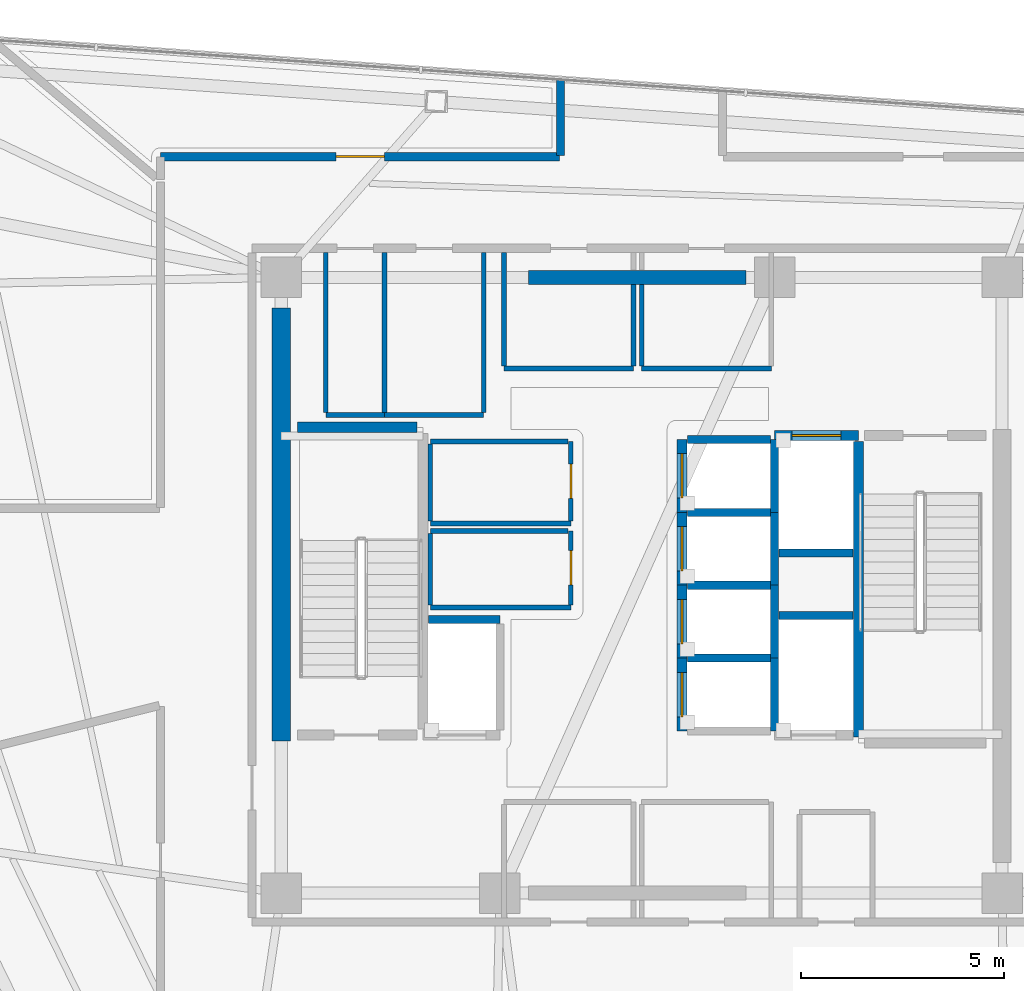
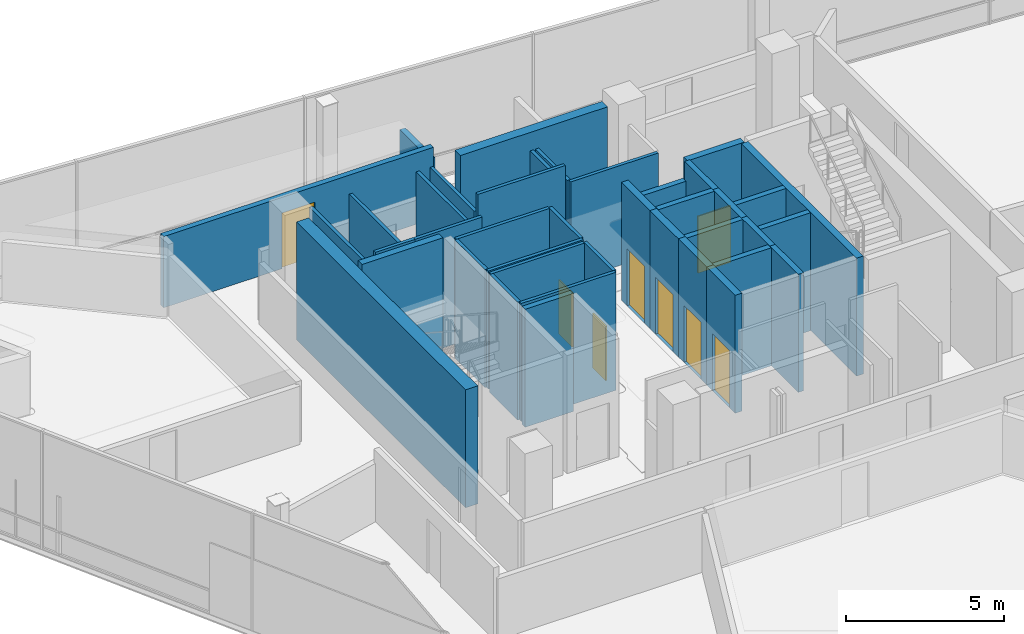
# One storey, part 10 of 13: 40 walls, 8 doors, 8 openings.
"""IFC4 building model written with IfcOpenShell, lengths in metres."""

from ifc_helpers import new_model, si_unit, direction, frame, frame_2d, origin, place, context, subcontext, project, spatial, rectangle, extrude, material, layer, layer_set, type_object, element, fill, save


model = new_model("IFC4")

# Units and contexts
model_context = context("Model", 3, precision=1e-05, world=origin(), true_north=direction((0.0, 1.0)))
body_context = subcontext(model_context, "Body", "Model", "MODEL_VIEW")
ifc_project = project(units=[si_unit("LENGTHUNIT", "METRE"), si_unit("AREAUNIT", "SQUARE_METRE"), si_unit("VOLUMEUNIT", "CUBIC_METRE"), si_unit("PLANEANGLEUNIT", "RADIAN"), si_unit("MASSUNIT", "GRAM", prefix="KILO")], contexts=[model_context])

# Site, building, storey
site_placement = place(None, origin())
site = spatial("IfcSite", under=ifc_project, at=site_placement, CompositionType="ELEMENT")
building_placement = place(site_placement, origin())
building = spatial("IfcBuilding", under=site, at=building_placement, Name="Tharavind Bronze Gate", CompositionType="ELEMENT")
storey_placement = place(building_placement, frame((0.0, 0.0, 248.64990234375)))
storey = spatial("IfcBuildingStorey", under=building, at=storey_placement, Name="L64", CompositionType="ELEMENT", Elevation=248.64990234375)

# Wall
ifc_material_1 = material(Name="Aerated Concrete Block", Category="concrete")
ifc_layer_1 = layer(ifc_material_1, 0.199951171875)
ifc_layer_set_1 = layer_set([ifc_layer_1], Name="Aerated Concrete Block")
wall_type_1 = type_object("IfcWallType", Name="FIRE RATED PARTITION 200", PredefinedType="PARTITIONING", material=ifc_layer_set_1)
wall_1_placement = place(storey_placement, frame((-2.0, 12.481689453125, 0.0), z_axis=(0.0, 0.0, 1.0), x_axis=(0.0, -1.0, 0.0)))
element("IfcWall", 1, at=wall_1_placement, inside=storey, type_object=wall_type_1, Name="L64 Scrum Huddle Room partition", PredefinedType="PARTITIONING", context=body_context, shape_type="SweptSolid", body=[
    extrude(rectangle(XDim=1.876708984375, YDim=0.199951171875, at=frame_2d((0.9384765625, 0.0))), origin(), (0.0, 0.0, 1.0), 2.255126953125),
])

# Wall, opening, door
wall_2_placement = place(storey_placement, frame((-2.02490234375, 10.580078125, 0.0), z_axis=(0.0, 0.0, 1.0), x_axis=(-1.0, 0.0, 0.0)))
wall_2 = element("IfcWall", 2, at=wall_2_placement, inside=storey, type_object=wall_type_1, Name="L64 Scrum Huddle Room partition", PredefinedType="PARTITIONING", context=body_context, shape_type="SweptSolid", body=[
    extrude(rectangle(XDim=9.8544921875, YDim=0.199951171875, at=frame_2d((4.92724609375, 0.0))), origin(), (0.0, 0.0, 1.0), 2.755126953125),
])
opening_1_placement = place(wall_2_placement, frame((4.326904296875, 0.0, 0.0)))
opening_1 = element("IfcOpeningElement", 3, at=opening_1_placement, cuts=wall_2, Name="Opening ID05", PredefinedType="OPENING", context=body_context, shape_type="SweptSolid", body=[
    extrude(rectangle(XDim=1.199951171875, YDim=2.14990234375, at=frame_2d((0.60009765625, 1.074951171875))), frame((0.0, 0.11009765625, 0.0), z_axis=(0.0, -1.0, 0.0), x_axis=(1.0, 0.0, 0.0)), (0.0, 0.0, 1.0), 0.219951171875),
])
ifc_material_2 = material(Name="Acoustic Laminated Glass", Category="glass")
door_type_1 = type_object("IfcDoorType", Name="MEETING ROOM GLAZED DOOR 1200X2150", OperationType="SINGLE_SWING_LEFT", PredefinedType="DOOR", material=ifc_material_2)
door_1_placement = place(opening_1_placement, origin())
door_1 = element("IfcDoor", 4, at=door_1_placement, inside=storey, type_object=door_type_1, Name="L64 Scrum Huddle Room door", OperationType="SINGLE_SWING_LEFT", OverallHeight=2.14990234375, OverallWidth=1.199951171875, PredefinedType="DOOR", context=body_context, shape_type="SweptSolid", body=[
    extrude(rectangle(XDim=1.199951171875, YDim=2.14990234375, at=frame_2d((0.60009765625, 1.074951171875))), frame((0.0, 0.02490234375, 0.0), z_axis=(0.0, -1.0, 0.0), x_axis=(1.0, 0.0, 0.0)), (0.0, 0.0, 1.0), 0.050048828125),
])
fill(opening_1, door_1)

# Wall
ifc_material_3 = material(Name="Metal Stud Gypsum Partition", Category="gypsum")
ifc_layer_2 = layer(ifc_material_3, 0.1201171875)
ifc_layer_set_2 = layer_set([ifc_layer_2], Name="Metal Stud Gypsum Partition")
wall_type_2 = type_object("IfcWallType", Name="INTERIOR PARTITION WALL 120", PredefinedType="PARTITIONING", material=ifc_layer_set_2)
wall_3_placement = place(storey_placement, frame((-5.219970703125, 1.52001953125, 0.0), z_axis=(0.0, 0.0, 1.0), x_axis=(1.0, 0.0, 0.0)))
element("IfcWall", 5, at=wall_3_placement, inside=storey, type_object=wall_type_2, Name="L64 Cleaner Store Room partition 1", PredefinedType="PARTITIONING", context=body_context, shape_type="SweptSolid", body=[
    extrude(rectangle(XDim=3.469970703125, YDim=0.1201171875, at=frame_2d((1.73486328125, 0.0))), origin(), (0.0, 0.0, 1.0), 4.56005859375),
])

# Wall, opening, door
wall_4_placement = place(storey_placement, frame((-1.75, 1.5849609375, 0.0), z_axis=(0.0, 0.0, 1.0), x_axis=(0.0, 1.0, 0.0)))
wall_4 = element("IfcWall", 6, at=wall_4_placement, inside=storey, type_object=wall_type_2, Name="L64 Cleaner Store Room partition 2", PredefinedType="PARTITIONING", context=body_context, shape_type="SweptSolid", body=[
    extrude(rectangle(XDim=1.965087890625, YDim=0.1201171875, at=frame_2d((0.982421875, 0.0))), origin(), (0.0, 0.0, 1.0), 4.56005859375),
])
opening_2_placement = place(wall_4_placement, frame((0.556884765625, 0.0, 0.0)))
opening_2 = element("IfcOpeningElement", 7, at=opening_2_placement, cuts=wall_4, Name="Opening ID06", PredefinedType="OPENING", context=body_context, shape_type="SweptSolid", body=[
    extrude(rectangle(XDim=0.85009765625, YDim=2.10009765625, at=frame_2d((0.425048828125, 1.050048828125))), frame((0.0, 0.07005859375, 0.0), z_axis=(0.0, -1.0, 0.0), x_axis=(1.0, 0.0, 0.0)), (0.0, 0.0, 1.0), 0.1401171875),
])
ifc_material_4 = material(Name="Moisture-Resistant Timber", Category="wood")
door_type_2 = type_object("IfcDoorType", Name="BATHROOM PRIVACY DOOR 850X2100", OperationType="SINGLE_SWING_RIGHT", PredefinedType="DOOR", material=ifc_material_4)
door_2_placement = place(opening_2_placement, frame((0.85009765625, 0.0, 0.0), z_axis=(0.0, 0.0, 1.0), x_axis=(-1.0, 0.0, 0.0)))
door_2 = element("IfcDoor", 8, at=door_2_placement, inside=storey, type_object=door_type_2, Name="L64 Cleaner Store Room door", OperationType="SINGLE_SWING_RIGHT", OverallHeight=2.10009765625, OverallWidth=0.85009765625, PredefinedType="DOOR", context=body_context, shape_type="SweptSolid", body=[
    extrude(rectangle(XDim=0.85009765625, YDim=2.10009765625, at=frame_2d((0.425048828125, 1.050048828125))), frame((0.0, 0.02490234375, 0.0), z_axis=(0.0, -1.0, 0.0), x_axis=(1.0, 0.0, 0.0)), (0.0, 0.0, 1.0), 0.050048828125),
])
fill(opening_2, door_2)

# Walls
wall_5_placement = place(storey_placement, frame((-1.81494140625, 3.550048828125, 0.0), z_axis=(0.0, 0.0, 1.0), x_axis=(-1.0, 0.0, 0.0)))
element("IfcWall", 9, at=wall_5_placement, inside=storey, type_object=wall_type_2, Name="L64 Cleaner Store Room partition 3", PredefinedType="PARTITIONING", context=body_context, shape_type="SweptSolid", body=[
    extrude(rectangle(XDim=3.405029296875, YDim=0.1201171875, at=frame_2d((1.70263671875, 0.0))), origin(), (0.0, 0.0, 1.0), 4.56005859375),
])
wall_6_placement = place(storey_placement, frame((-5.219970703125, 3.485107421875, 0.0), z_axis=(0.0, 0.0, 1.0), x_axis=(0.0, -1.0, 0.0)))
element("IfcWall", 10, at=wall_6_placement, inside=storey, type_object=wall_type_2, Name="L64 Cleaner Store Room partition 4", PredefinedType="PARTITIONING", context=body_context, shape_type="SweptSolid", body=[
    extrude(rectangle(XDim=1.900146484375, YDim=0.1201171875, at=frame_2d((0.9501953125, 0.0))), origin(), (0.0, 0.0, 1.0), 4.56005859375),
])
wall_7_placement = place(storey_placement, frame((-5.219970703125, -0.550048828125, 0.0), z_axis=(0.0, 0.0, 1.0), x_axis=(1.0, 0.0, 0.0)))
element("IfcWall", 11, at=wall_7_placement, inside=storey, type_object=wall_type_2, Name="L64 Electrical Switch Room partition 1", PredefinedType="PARTITIONING", context=body_context, shape_type="SweptSolid", body=[
    extrude(rectangle(XDim=3.469970703125, YDim=0.1201171875, at=frame_2d((1.73486328125, 0.0))), origin(), (0.0, 0.0, 1.0), 4.56005859375),
])

# Wall, opening, door
wall_8_placement = place(storey_placement, frame((-1.75, -0.485107421875, 0.0), z_axis=(0.0, 0.0, 1.0), x_axis=(0.0, 1.0, 0.0)))
wall_8 = element("IfcWall", 12, at=wall_8_placement, inside=storey, type_object=wall_type_2, Name="L64 Electrical Switch Room partition 2", PredefinedType="PARTITIONING", context=body_context, shape_type="SweptSolid", body=[
    extrude(rectangle(XDim=1.8251953125, YDim=0.1201171875, at=frame_2d((0.91259765625, 0.0))), origin(), (0.0, 0.0, 1.0), 4.56005859375),
])
opening_3_placement = place(wall_8_placement, frame((0.488037109375, 0.0, 0.0)))
opening_3 = element("IfcOpeningElement", 13, at=opening_3_placement, cuts=wall_8, Name="Opening ID06", PredefinedType="OPENING", context=body_context, shape_type="SweptSolid", body=[
    extrude(rectangle(XDim=0.85009765625, YDim=2.10009765625, at=frame_2d((0.425048828125, 1.050048828125))), frame((0.0, 0.07005859375, 0.0), z_axis=(0.0, -1.0, 0.0), x_axis=(1.0, 0.0, 0.0)), (0.0, 0.0, 1.0), 0.1401171875),
])
door_3_placement = place(opening_3_placement, frame((0.85009765625, 0.0, 0.0), z_axis=(0.0, 0.0, 1.0), x_axis=(-1.0, 0.0, 0.0)))
door_3 = element("IfcDoor", 14, at=door_3_placement, inside=storey, type_object=door_type_2, Name="L64 Electrical Switch Room door", OperationType="SINGLE_SWING_RIGHT", OverallHeight=2.10009765625, OverallWidth=0.85009765625, PredefinedType="DOOR", context=body_context, shape_type="SweptSolid", body=[
    extrude(rectangle(XDim=0.85009765625, YDim=2.10009765625, at=frame_2d((0.425048828125, 1.050048828125))), frame((0.0, 0.02490234375, 0.0), z_axis=(0.0, -1.0, 0.0), x_axis=(1.0, 0.0, 0.0)), (0.0, 0.0, 1.0), 0.050048828125),
])
fill(opening_3, door_3)

# Walls
wall_9_placement = place(storey_placement, frame((-1.81494140625, 1.340087890625, 0.0), z_axis=(0.0, 0.0, 1.0), x_axis=(-1.0, 0.0, 0.0)))
element("IfcWall", 15, at=wall_9_placement, inside=storey, type_object=wall_type_2, Name="L64 Electrical Switch Room partition 3", PredefinedType="PARTITIONING", context=body_context, shape_type="SweptSolid", body=[
    extrude(rectangle(XDim=3.405029296875, YDim=0.1201171875, at=frame_2d((1.70263671875, 0.0))), origin(), (0.0, 0.0, 1.0), 4.56005859375),
])
wall_10_placement = place(storey_placement, frame((-5.219970703125, 1.27490234375, 0.0), z_axis=(0.0, 0.0, 1.0), x_axis=(0.0, -1.0, 0.0)))
element("IfcWall", 16, at=wall_10_placement, inside=storey, type_object=wall_type_2, Name="L64 Electrical Switch Room partition 4", PredefinedType="PARTITIONING", context=body_context, shape_type="SweptSolid", body=[
    extrude(rectangle(XDim=1.760009765625, YDim=0.1201171875, at=frame_2d((0.8798828125, 0.0))), origin(), (0.0, 0.0, 1.0), 4.56005859375),
])
wall_11_placement = place(storey_placement, frame((-3.39990234375, 5.35009765625, 0.0), z_axis=(0.0, 0.0, 1.0), x_axis=(1.0, 0.0, 0.0)))
element("IfcWall", 17, at=wall_11_placement, inside=storey, type_object=wall_type_2, Name="L64 Core Telemetry Room partition 1", PredefinedType="PARTITIONING", context=body_context, shape_type="SweptSolid", body=[
    extrude(rectangle(XDim=3.199951171875, YDim=0.1201171875, at=frame_2d((1.60009765625, 0.0))), origin(), (0.0, 0.0, 1.0), 4.56005859375),
])
wall_12_placement = place(storey_placement, frame((-0.199951171875, 5.4150390625, 0.0), z_axis=(0.0, 0.0, 1.0), x_axis=(0.0, 1.0, 0.0)))
element("IfcWall", 18, at=wall_12_placement, inside=storey, type_object=wall_type_2, Name="L64 Core Telemetry Room partition 2", PredefinedType="PARTITIONING", context=body_context, shape_type="SweptSolid", body=[
    extrude(rectangle(XDim=2.0048828125, YDim=0.1201171875, at=frame_2d((1.00244140625, 0.0))), origin(), (0.0, 0.0, 1.0), 3.85498046875),
])
wall_13_placement = place(storey_placement, frame((-3.39990234375, 8.215087890625, 0.0), z_axis=(0.0, 0.0, 1.0), x_axis=(0.0, -1.0, 0.0)))
element("IfcWall", 19, at=wall_13_placement, inside=storey, type_object=wall_type_2, Name="L64 Core Telemetry Room partition 4", PredefinedType="PARTITIONING", context=body_context, shape_type="SweptSolid", body=[
    extrude(rectangle(XDim=2.800048828125, YDim=0.1201171875, at=frame_2d((1.39990234375, 0.0))), origin(), (0.0, 0.0, 1.0), 3.85498046875),
])
wall_14_placement = place(storey_placement, frame((0.0, 5.35009765625, 0.0), z_axis=(0.0, 0.0, 1.0), x_axis=(1.0, 0.0, 0.0)))
element("IfcWall", 20, at=wall_14_placement, inside=storey, type_object=wall_type_2, Name="L64 Core Battery Room partition 1", PredefinedType="PARTITIONING", context=body_context, shape_type="SweptSolid", body=[
    extrude(rectangle(XDim=3.199951171875, YDim=0.1201171875, at=frame_2d((1.60009765625, 0.0))), origin(), (0.0, 0.0, 1.0), 3.85498046875),
])
wall_15_placement = place(storey_placement, frame((0.0, 7.419921875, 0.0), z_axis=(0.0, 0.0, 1.0), x_axis=(0.0, -1.0, 0.0)))
element("IfcWall", 21, at=wall_15_placement, inside=storey, type_object=wall_type_2, Name="L64 Core Battery Room partition 4", PredefinedType="PARTITIONING", context=body_context, shape_type="SweptSolid", body=[
    extrude(rectangle(XDim=2.0048828125, YDim=0.1201171875, at=frame_2d((1.00244140625, 0.0))), origin(), (0.0, 0.0, 1.0), 3.85498046875),
])
wall_16_placement = place(storey_placement, frame((-7.800048828125, 4.199951171875, 0.0), z_axis=(0.0, 0.0, 1.0), x_axis=(1.0, 0.0, 0.0)))
element("IfcWall", 22, at=wall_16_placement, inside=storey, type_object=wall_type_2, Name="L64 Battery Backup Cupboard partition 1", PredefinedType="PARTITIONING", context=body_context, shape_type="SweptSolid", body=[
    extrude(rectangle(XDim=1.449951171875, YDim=0.1201171875, at=frame_2d((0.72509765625, 0.0))), origin(), (0.0, 0.0, 1.0), 4.56005859375),
])
for number, where, z_axis, x_axis, name in (
    (23, (-6.35009765625, 4.264892578125, 0.0), (0.0, 0.0, 1.0), (0.0, 1.0, 0.0), "L64 Battery Backup Cupboard partition 2"),
    (24, (-7.800048828125, 8.215087890625, 0.0), (0.0, 0.0, 1.0), (0.0, -1.0, 0.0), "L64 Battery Backup Cupboard partition 4"),
):
    element("IfcWall", number, at=place(storey_placement, frame(where, z_axis=z_axis, x_axis=x_axis)), inside=storey, type_object=wall_type_2, Name=name, PredefinedType="PARTITIONING", context=body_context, shape_type="SweptSolid", body=[
        extrude(rectangle(XDim=3.9501953125, YDim=0.1201171875, at=frame_2d((1.97509765625, 0.0))), origin(), (0.0, 0.0, 1.0), 3.85498046875),
    ])
wall_17_placement = place(storey_placement, frame((-6.35009765625, 4.199951171875, 0.0), z_axis=(0.0, 0.0, 1.0), x_axis=(1.0, 0.0, 0.0)))
element("IfcWall", 25, at=wall_17_placement, inside=storey, type_object=wall_type_2, Name="L64 Cleaner Store Room partition 1", PredefinedType="PARTITIONING", context=body_context, shape_type="SweptSolid", body=[
    extrude(rectangle(XDim=2.4501953125, YDim=0.1201171875, at=frame_2d((1.22509765625, 0.0))), origin(), (0.0, 0.0, 1.0), 4.56005859375),
])
wall_18_placement = place(storey_placement, frame((-3.89990234375, 4.264892578125, 0.0), z_axis=(0.0, 0.0, 1.0), x_axis=(0.0, 1.0, 0.0)))
element("IfcWall", 26, at=wall_18_placement, inside=storey, type_object=wall_type_2, Name="L64 Cleaner Store Room partition 2", PredefinedType="PARTITIONING", context=body_context, shape_type="SweptSolid", body=[
    extrude(rectangle(XDim=3.9501953125, YDim=0.1201171875, at=frame_2d((1.97509765625, 0.0))), origin(), (0.0, 0.0, 1.0), 3.85498046875),
])
ifc_material_5 = material(Name="Concrete C50/60", Category="concrete")
ifc_layer_3 = layer(ifc_material_5, 0.25)
ifc_layer_set_3 = layer_set([ifc_layer_3], Name="Concrete C50/60")
wall_type_3 = type_object("IfcWallType", Name="RC CORE SHEAR WALL 250", PredefinedType="SHEAR", material=ifc_layer_set_3)
wall_19_placement = place(storey_placement, frame((-8.5, 3.89990234375, 0.0), z_axis=(0.0, 0.0, 1.0), x_axis=(1.0, 0.0, 0.0)))
element("IfcWall", 27, at=wall_19_placement, inside=storey, type_object=wall_type_3, Name="L64 ST1 shaft north wall", PredefinedType="SHEAR", context=body_context, shape_type="SweptSolid", body=[
    extrude(rectangle(XDim=2.949951171875, YDim=0.25, at=frame_2d((1.47509765625, 0.0))), origin(), (0.0, 0.0, 1.0), 4.56005859375),
])
wall_20_placement = place(storey_placement, frame((5.35009765625, -3.75, 0.0), z_axis=(0.0, 0.0, 1.0), x_axis=(0.0, 1.0, 0.0)))
element("IfcWall", 28, at=wall_20_placement, inside=storey, type_object=wall_type_3, Name="L64 ST2 shaft west wall", PredefinedType="SHEAR", context=body_context, shape_type="SweptSolid", body=[
    extrude(rectangle(XDim=7.300048828125, YDim=0.25, at=frame_2d((3.64990234375, 0.0))), origin(), (0.0, 0.0, 1.0), 4.56005859375),
])

# Wall, opening, door
wall_21_placement = place(storey_placement, frame((1.0, -3.60009765625, 0.0), z_axis=(0.0, 0.0, 1.0), x_axis=(0.0, 1.0, 0.0)))
wall_21 = element("IfcWall", 29, at=wall_21_placement, inside=storey, type_object=wall_type_3, Name="L64 lift PL9 shaft front wall", PredefinedType="SHEAR", context=body_context, shape_type="SweptSolid", body=[
    extrude(rectangle(XDim=1.800048828125, YDim=0.25, at=frame_2d((0.89990234375, 0.0))), origin(), (0.0, 0.0, 1.0), 4.56005859375),
])
opening_4_placement = place(wall_21_placement, frame((0.35009765625, 0.0, 0.0)))
opening_4 = element("IfcOpeningElement", 30, at=opening_4_placement, cuts=wall_21, Name="Opening LD01", PredefinedType="OPENING", context=body_context, shape_type="SweptSolid", body=[
    extrude(rectangle(XDim=1.10009765625, YDim=2.199951171875, at=frame_2d((0.550048828125, 1.10009765625))), frame((0.0, 0.135, 0.0), z_axis=(0.0, -1.0, 0.0), x_axis=(1.0, 0.0, 0.0)), (0.0, 0.0, 1.0), 0.27),
])
ifc_material_6 = material(Name="Brushed Bronze Stainless Steel", Category="steel")
door_type_3 = type_object("IfcDoorType", Name="LIFT LANDING SLIDING DOOR 1100X2200", OperationType="SLIDING_TO_LEFT", PredefinedType="DOOR", material=ifc_material_6)
door_4_placement = place(opening_4_placement, origin())
door_4 = element("IfcDoor", 31, at=door_4_placement, inside=storey, type_object=door_type_3, Name="L64 lift PL9 sliding landing door", OperationType="SLIDING_TO_LEFT", OverallHeight=2.199951171875, OverallWidth=1.10009765625, PredefinedType="DOOR", context=body_context, shape_type="SweptSolid", body=[
    extrude(rectangle(XDim=1.10009765625, YDim=2.199951171875, at=frame_2d((0.550048828125, 1.10009765625))), frame((0.0, 0.02490234375, 0.0), z_axis=(0.0, -1.0, 0.0), x_axis=(1.0, 0.0, 0.0)), (0.0, 0.0, 1.0), 0.050048828125),
])
fill(opening_4, door_4)

wall_22_placement = place(storey_placement, frame((1.0, -1.800048828125, 0.0), z_axis=(0.0, 0.0, 1.0), x_axis=(0.0, 1.0, 0.0)))
wall_22 = element("IfcWall", 32, at=wall_22_placement, inside=storey, type_object=wall_type_3, Name="L64 lift PL10 shaft front wall", PredefinedType="SHEAR", context=body_context, shape_type="SweptSolid", body=[
    extrude(rectangle(XDim=1.800048828125, YDim=0.25, at=frame_2d((0.89990234375, 0.0))), origin(), (0.0, 0.0, 1.0), 4.56005859375),
])
opening_5_placement = place(wall_22_placement, frame((0.35009765625, 0.0, 0.0)))
opening_5 = element("IfcOpeningElement", 33, at=opening_5_placement, cuts=wall_22, Name="Opening LD01", PredefinedType="OPENING", context=body_context, shape_type="SweptSolid", body=[
    extrude(rectangle(XDim=1.10009765625, YDim=2.199951171875, at=frame_2d((0.550048828125, 1.10009765625))), frame((0.0, 0.135, 0.0), z_axis=(0.0, -1.0, 0.0), x_axis=(1.0, 0.0, 0.0)), (0.0, 0.0, 1.0), 0.27),
])
door_5_placement = place(opening_5_placement, origin())
door_5 = element("IfcDoor", 34, at=door_5_placement, inside=storey, type_object=door_type_3, Name="L64 lift PL10 sliding landing door", OperationType="SLIDING_TO_LEFT", OverallHeight=2.199951171875, OverallWidth=1.10009765625, PredefinedType="DOOR", context=body_context, shape_type="SweptSolid", body=[
    extrude(rectangle(XDim=1.10009765625, YDim=2.199951171875, at=frame_2d((0.550048828125, 1.10009765625))), frame((0.0, 0.02490234375, 0.0), z_axis=(0.0, -1.0, 0.0), x_axis=(1.0, 0.0, 0.0)), (0.0, 0.0, 1.0), 0.050048828125),
])
fill(opening_5, door_5)

wall_23_placement = place(storey_placement, frame((1.0, 0.0, 0.0), z_axis=(0.0, 0.0, 1.0), x_axis=(0.0, 1.0, 0.0)))
wall_23 = element("IfcWall", 35, at=wall_23_placement, inside=storey, type_object=wall_type_3, Name="L64 lift PL11 shaft front wall", PredefinedType="SHEAR", context=body_context, shape_type="SweptSolid", body=[
    extrude(rectangle(XDim=1.800048828125, YDim=0.25, at=frame_2d((0.89990234375, 0.0))), origin(), (0.0, 0.0, 1.0), 4.56005859375),
])
opening_6_placement = place(wall_23_placement, frame((0.35009765625, 0.0, 0.0)))
opening_6 = element("IfcOpeningElement", 36, at=opening_6_placement, cuts=wall_23, Name="Opening LD01", PredefinedType="OPENING", context=body_context, shape_type="SweptSolid", body=[
    extrude(rectangle(XDim=1.10009765625, YDim=2.199951171875, at=frame_2d((0.550048828125, 1.10009765625))), frame((0.0, 0.135, 0.0), z_axis=(0.0, -1.0, 0.0), x_axis=(1.0, 0.0, 0.0)), (0.0, 0.0, 1.0), 0.27),
])
door_6_placement = place(opening_6_placement, origin())
door_6 = element("IfcDoor", 37, at=door_6_placement, inside=storey, type_object=door_type_3, Name="L64 lift PL11 sliding landing door", OperationType="SLIDING_TO_LEFT", OverallHeight=2.199951171875, OverallWidth=1.10009765625, PredefinedType="DOOR", context=body_context, shape_type="SweptSolid", body=[
    extrude(rectangle(XDim=1.10009765625, YDim=2.199951171875, at=frame_2d((0.550048828125, 1.10009765625))), frame((0.0, 0.02490234375, 0.0), z_axis=(0.0, -1.0, 0.0), x_axis=(1.0, 0.0, 0.0)), (0.0, 0.0, 1.0), 0.050048828125),
])
fill(opening_6, door_6)

wall_24_placement = place(storey_placement, frame((1.0, 1.800048828125, 0.0), z_axis=(0.0, 0.0, 1.0), x_axis=(0.0, 1.0, 0.0)))
wall_24 = element("IfcWall", 38, at=wall_24_placement, inside=storey, type_object=wall_type_3, Name="L64 lift PL12 shaft front wall", PredefinedType="SHEAR", context=body_context, shape_type="SweptSolid", body=[
    extrude(rectangle(XDim=1.800048828125, YDim=0.25, at=frame_2d((0.89990234375, 0.0))), origin(), (0.0, 0.0, 1.0), 4.56005859375),
])
opening_7_placement = place(wall_24_placement, frame((0.35009765625, 0.0, 0.0)))
opening_7 = element("IfcOpeningElement", 39, at=opening_7_placement, cuts=wall_24, Name="Opening LD01", PredefinedType="OPENING", context=body_context, shape_type="SweptSolid", body=[
    extrude(rectangle(XDim=1.10009765625, YDim=2.199951171875, at=frame_2d((0.550048828125, 1.10009765625))), frame((0.0, 0.135, 0.0), z_axis=(0.0, -1.0, 0.0), x_axis=(1.0, 0.0, 0.0)), (0.0, 0.0, 1.0), 0.27),
])
door_7_placement = place(opening_7_placement, origin())
door_7 = element("IfcDoor", 40, at=door_7_placement, inside=storey, type_object=door_type_3, Name="L64 lift PL12 sliding landing door", OperationType="SLIDING_TO_LEFT", OverallHeight=2.199951171875, OverallWidth=1.10009765625, PredefinedType="DOOR", context=body_context, shape_type="SweptSolid", body=[
    extrude(rectangle(XDim=1.10009765625, YDim=2.199951171875, at=frame_2d((0.550048828125, 1.10009765625))), frame((0.0, 0.02490234375, 0.0), z_axis=(0.0, -1.0, 0.0), x_axis=(1.0, 0.0, 0.0)), (0.0, 0.0, 1.0), 0.050048828125),
])
fill(opening_7, door_7)

wall_25_placement = place(storey_placement, frame((3.280029296875, 3.699951171875, 0.0), z_axis=(0.0, 0.0, 1.0), x_axis=(1.0, 0.0, 0.0)))
wall_25 = element("IfcWall", 41, at=wall_25_placement, inside=storey, type_object=wall_type_3, Name="L64 lift FFL2 shaft front wall", PredefinedType="SHEAR", context=body_context, shape_type="SweptSolid", body=[
    extrude(rectangle(XDim=2.070068359375, YDim=0.25, at=frame_2d((1.03515625, 0.0))), origin(), (0.0, 0.0, 1.0), 4.56005859375),
])
opening_8_placement = place(wall_25_placement, frame((0.43505859375, 0.0, 0.0)))
opening_8 = element("IfcOpeningElement", 42, at=opening_8_placement, cuts=wall_25, Name="Opening LD02", PredefinedType="OPENING", context=body_context, shape_type="SweptSolid", body=[
    extrude(rectangle(XDim=1.199951171875, YDim=2.199951171875, at=frame_2d((0.60009765625, 1.10009765625))), frame((0.0, 0.135, 0.0), z_axis=(0.0, -1.0, 0.0), x_axis=(1.0, 0.0, 0.0)), (0.0, 0.0, 1.0), 0.27),
])
ifc_material_7 = material(Name="Brushed Stainless Steel", Category="steel")
door_type_4 = type_object("IfcDoorType", Name="FIREFIGHTING LIFT LANDING DOOR 1200X2200", OperationType="SLIDING_TO_RIGHT", PredefinedType="DOOR", material=ifc_material_7)
door_8_placement = place(opening_8_placement, origin())
door_8 = element("IfcDoor", 43, at=door_8_placement, inside=storey, type_object=door_type_4, Name="L64 lift FFL2 sliding landing door", OperationType="SLIDING_TO_RIGHT", OverallHeight=2.199951171875, OverallWidth=1.199951171875, PredefinedType="DOOR", context=body_context, shape_type="SweptSolid", body=[
    extrude(rectangle(XDim=1.199951171875, YDim=2.199951171875, at=frame_2d((0.60009765625, 1.10009765625))), frame((0.0, 0.02490234375, 0.0), z_axis=(0.0, -1.0, 0.0), x_axis=(1.0, 0.0, 0.0)), (0.0, 0.0, 1.0), 0.050048828125),
])
fill(opening_8, door_8)

# Walls
ifc_layer_4 = layer(ifc_material_5, 0.35009765625)
ifc_layer_set_4 = layer_set([ifc_layer_4], Name="Concrete C50/60")
wall_type_4 = type_object("IfcWallType", Name="RC CORE SHEAR WALL 350", PredefinedType="SHEAR", material=ifc_layer_set_4)
wall_26_placement = place(storey_placement, frame((-2.800048828125, 7.60009765625, 0.0), z_axis=(0.0, 0.0, 1.0), x_axis=(1.0, 0.0, 0.0)))
element("IfcWall", 44, at=wall_26_placement, inside=storey, type_object=wall_type_4, Name="L64 north core shear wall", PredefinedType="SHEAR", context=body_context, shape_type="SweptSolid", body=[
    extrude(rectangle(XDim=5.380126953125, YDim=0.35009765625, at=frame_2d((2.68994140625, 0.0))), origin(), (0.0, 0.0, 1.0), 4.56005859375),
])
ifc_material_8 = material(Name="Concrete C60/75", Category="concrete")
ifc_layer_5 = layer(ifc_material_8, 0.449951171875)
ifc_layer_set_5 = layer_set([ifc_layer_5], Name="Concrete C60/75")
wall_type_5 = type_object("IfcWallType", Name="RC CORE SHEAR WALL 450", PredefinedType="SHEAR", material=ifc_layer_set_5)
wall_27_placement = place(storey_placement, frame((-8.89990234375, -3.85009765625, 0.0), z_axis=(0.0, 0.0, 1.0), x_axis=(0.0, 1.0, 0.0)))
element("IfcWall", 45, at=wall_27_placement, inside=storey, type_object=wall_type_5, Name="L64 west core shear wall", PredefinedType="SHEAR", context=body_context, shape_type="SweptSolid", body=[
    extrude(rectangle(XDim=10.7001953125, YDim=0.449951171875, at=frame_2d((5.35009765625, 0.0))), origin(), (0.0, 0.0, 1.0), 4.56005859375),
])
ifc_material_9 = material(Name="Concrete C40/50", Category="concrete")
ifc_layer_6 = layer(ifc_material_9, 0.199951171875)
ifc_layer_set_6 = layer_set([ifc_layer_6], Name="Concrete C40/50")
wall_type_6 = type_object("IfcWallType", Name="SHAFT ENCLOSURE WALL 200", PredefinedType="PARTITIONING", material=ifc_layer_set_6)
wall_28_placement = place(storey_placement, frame((3.280029296875, -3.60009765625, 0.0), z_axis=(0.0, 0.0, 1.0), x_axis=(0.0, 1.0, 0.0)))
element("IfcWall", 46, at=wall_28_placement, inside=storey, type_object=wall_type_6, Name="L64 lift PL9 shaft E enclosure wall", PredefinedType="PARTITIONING", context=body_context, shape_type="SweptSolid", body=[
    extrude(rectangle(XDim=1.800048828125, YDim=0.199951171875, at=frame_2d((0.89990234375, 0.0))), origin(), (0.0, 0.0, 1.0), 4.56005859375),
])
wall_29_placement = place(storey_placement, frame((1.1298828125, -1.800048828125, 0.0), z_axis=(0.0, 0.0, 1.0), x_axis=(1.0, 0.0, 0.0)))
element("IfcWall", 47, at=wall_29_placement, inside=storey, type_object=wall_type_6, Name="L64 lift PL9 shaft N enclosure wall", PredefinedType="PARTITIONING", context=body_context, shape_type="SweptSolid", body=[
    extrude(rectangle(XDim=2.045166015625, YDim=0.199951171875, at=frame_2d((1.0224609375, 0.0))), origin(), (0.0, 0.0, 1.0), 4.56005859375),
])
wall_30_placement = place(storey_placement, frame((3.280029296875, -1.800048828125, 0.0), z_axis=(0.0, 0.0, 1.0), x_axis=(0.0, 1.0, 0.0)))
element("IfcWall", 48, at=wall_30_placement, inside=storey, type_object=wall_type_6, Name="L64 lift PL10 shaft E enclosure wall", PredefinedType="PARTITIONING", context=body_context, shape_type="SweptSolid", body=[
    extrude(rectangle(XDim=1.800048828125, YDim=0.199951171875, at=frame_2d((0.89990234375, 0.0))), origin(), (0.0, 0.0, 1.0), 4.56005859375),
])
wall_31_placement = place(storey_placement, frame((1.1298828125, 0.0, 0.0), z_axis=(0.0, 0.0, 1.0), x_axis=(1.0, 0.0, 0.0)))
element("IfcWall", 49, at=wall_31_placement, inside=storey, type_object=wall_type_6, Name="L64 lift PL10 shaft N enclosure wall", PredefinedType="PARTITIONING", context=body_context, shape_type="SweptSolid", body=[
    extrude(rectangle(XDim=2.045166015625, YDim=0.199951171875, at=frame_2d((1.0224609375, 0.0))), origin(), (0.0, 0.0, 1.0), 4.56005859375),
])
wall_32_placement = place(storey_placement, frame((3.280029296875, 0.0, 0.0), z_axis=(0.0, 0.0, 1.0), x_axis=(0.0, 1.0, 0.0)))
element("IfcWall", 50, at=wall_32_placement, inside=storey, type_object=wall_type_6, Name="L64 lift PL11 shaft E enclosure wall", PredefinedType="PARTITIONING", context=body_context, shape_type="SweptSolid", body=[
    extrude(rectangle(XDim=1.800048828125, YDim=0.199951171875, at=frame_2d((0.89990234375, 0.0))), origin(), (0.0, 0.0, 1.0), 4.56005859375),
])
wall_33_placement = place(storey_placement, frame((1.1298828125, 1.800048828125, 0.0), z_axis=(0.0, 0.0, 1.0), x_axis=(1.0, 0.0, 0.0)))
element("IfcWall", 51, at=wall_33_placement, inside=storey, type_object=wall_type_6, Name="L64 lift PL11 shaft N enclosure wall", PredefinedType="PARTITIONING", context=body_context, shape_type="SweptSolid", body=[
    extrude(rectangle(XDim=2.045166015625, YDim=0.199951171875, at=frame_2d((1.0224609375, 0.0))), origin(), (0.0, 0.0, 1.0), 4.56005859375),
])
wall_34_placement = place(storey_placement, frame((3.280029296875, 1.800048828125, 0.0), z_axis=(0.0, 0.0, 1.0), x_axis=(0.0, 1.0, 0.0)))
element("IfcWall", 52, at=wall_34_placement, inside=storey, type_object=wall_type_6, Name="L64 lift PL12 shaft E enclosure wall", PredefinedType="PARTITIONING", context=body_context, shape_type="SweptSolid", body=[
    extrude(rectangle(XDim=1.800048828125, YDim=0.199951171875, at=frame_2d((0.89990234375, 0.0))), origin(), (0.0, 0.0, 1.0), 4.56005859375),
])
wall_35_placement = place(storey_placement, frame((1.1298828125, 3.60009765625, 0.0), z_axis=(0.0, 0.0, 1.0), x_axis=(1.0, 0.0, 0.0)))
element("IfcWall", 53, at=wall_35_placement, inside=storey, type_object=wall_type_6, Name="L64 lift PL12 shaft N enclosure wall", PredefinedType="PARTITIONING", context=body_context, shape_type="SweptSolid", body=[
    extrude(rectangle(XDim=2.045166015625, YDim=0.199951171875, at=frame_2d((1.0224609375, 0.0))), origin(), (0.0, 0.0, 1.0), 3.85498046875),
])
wall_36_placement = place(storey_placement, frame((-5.27001953125, -0.85009765625, 0.0), z_axis=(0.0, 0.0, 1.0), x_axis=(1.0, 0.0, 0.0)))
element("IfcWall", 54, at=wall_36_placement, inside=storey, type_object=wall_type_6, Name="L64 lift FFL1 shaft N enclosure wall", PredefinedType="PARTITIONING", context=body_context, shape_type="SweptSolid", body=[
    extrude(rectangle(XDim=1.77001953125, YDim=0.199951171875, at=frame_2d((0.885009765625, 0.0))), origin(), (0.0, 0.0, 1.0), 4.56005859375),
])
for number, where, z_axis, x_axis, name in (
    (55, (3.385009765625, 0.800048828125, 0.0), (0.0, 0.0, 1.0), (1.0, 0.0, 0.0), "L64 lift FFL2 shaft S enclosure wall"),
    (56, (3.385009765625, -0.75, 0.0), (0.0, 0.0, 1.0), (1.0, 0.0, 0.0), "L64 lift SVL1 shaft N enclosure wall"),
):
    element("IfcWall", number, at=place(storey_placement, frame(where, z_axis=z_axis, x_axis=x_axis)), inside=storey, type_object=wall_type_6, Name=name, PredefinedType="PARTITIONING", context=body_context, shape_type="SweptSolid", body=[
        extrude(rectangle(XDim=1.8349609375, YDim=0.199951171875, at=frame_2d((0.91748046875, 0.0))), origin(), (0.0, 0.0, 1.0), 4.56005859375),
    ])

save(model, "model.ifc")
